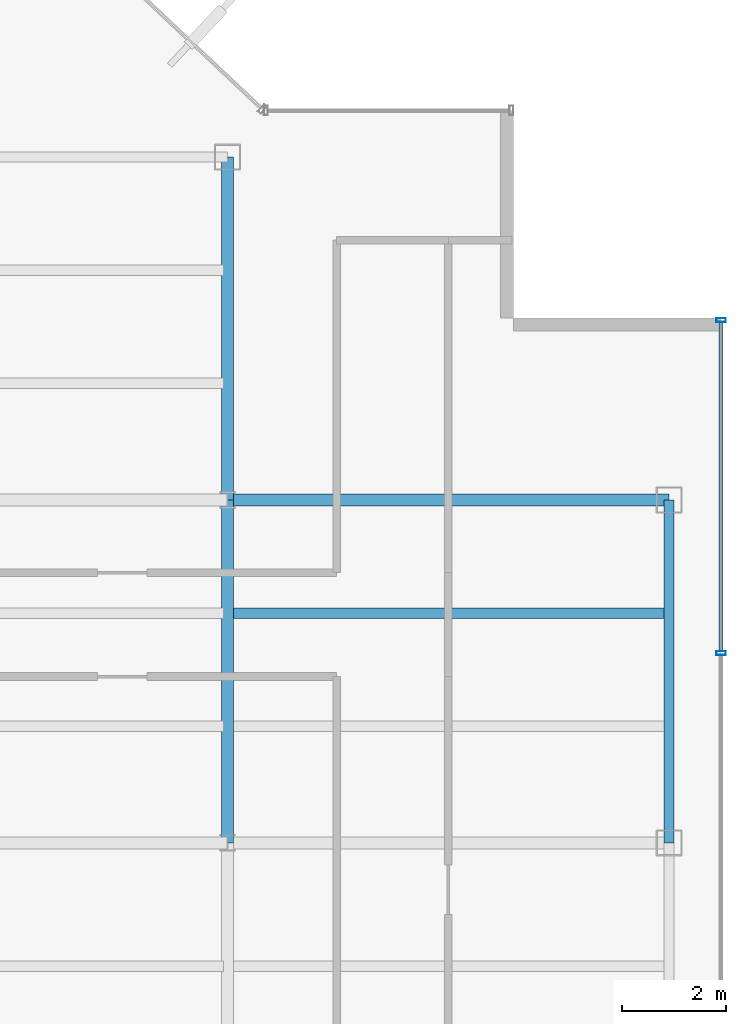
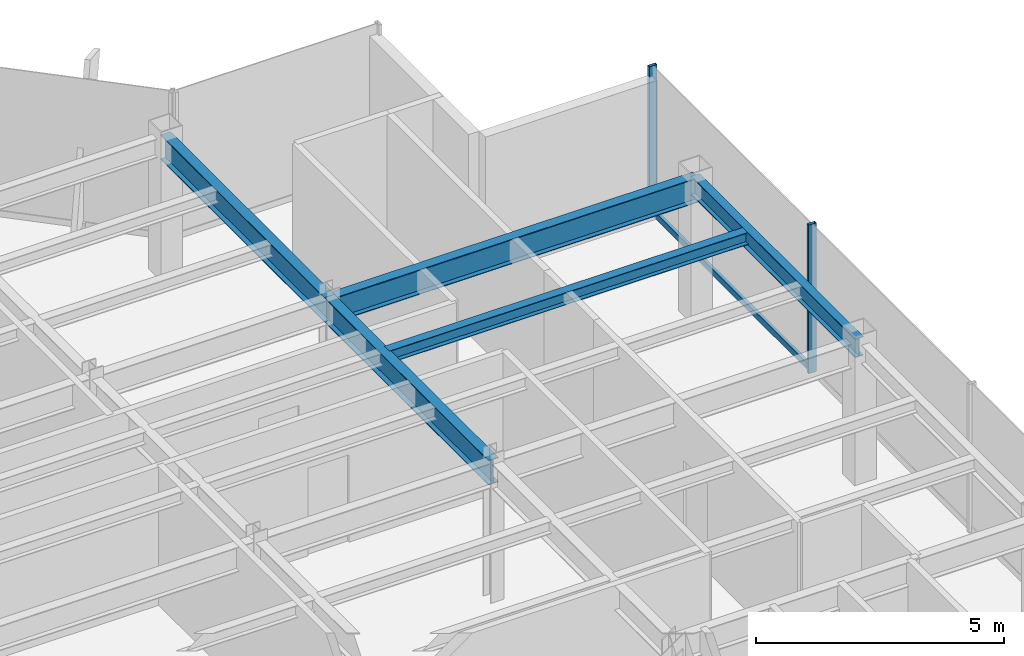
# One storey, part 11 of 22: 5 beams, 3 members, 1 element without a shape of its own.
"""IFC4 building model written with IfcOpenShell, lengths in metres."""

import ifcopenshell
import ifcopenshell.guid

model = None  # the IFC model being written
_history = None  # IfcOwnerHistory: only IFC2X3 demands one
_inside = {}  # id of a spatial element -> (the spatial element, [elements in it])
_under = {}  # id of a project, library or spatial element -> (it, [spatial elements below it])
_declared = {}  # id of a project -> (the project, [libraries it declares])
_typed = {}  # id of a type object -> (the type object, [elements of that type])
_made_of = {}  # id of a material, layer set ... -> (it, [elements and type objects made of it])


def new_model(schema):
    """Start an empty IFC model of exactly this schema.

    Asked for "IFC4X3", IfcOpenShell would pick the latest addendum, in which some entities
    have other attributes; the version numbers below select the first issue.
    IFC2X3 requires an IfcOwnerHistory on every rooted entity: one is made here for all.
    """
    global model, _history
    if schema == "IFC4X3":
        model = ifcopenshell.file(schema_version=(4, 3, 0, 0))
    else:
        model = ifcopenshell.file(schema=schema)
    _inside.clear()
    _under.clear()
    _declared.clear()
    _typed.clear()
    _made_of.clear()
    _history = None
    if model.schema == "IFC2X3":
        org = make("IfcOrganization", Name="unknown")
        user = make(
            "IfcPersonAndOrganization",
            ThePerson=make("IfcPerson", FamilyName="unknown"),
            TheOrganization=org,
        )
        app = make(
            "IfcApplication",
            ApplicationDeveloper=org,
            Version="unknown",
            ApplicationFullName="unknown",
            ApplicationIdentifier="unknown",
        )
        _history = make(
            "IfcOwnerHistory",
            OwningUser=user,
            OwningApplication=app,
            ChangeAction="ADDED",
            CreationDate=0,
        )
    return model


def make(cls, **values):
    """One entity of the class cls with the attributes given. An attribute that is None is left unset."""
    return model.create_entity(
        cls, **{name: value for name, value in values.items() if value is not None}
    )


def rooted(cls, **values):
    """An entity with a GlobalId (a new one), such as an element, a storey or a relation."""
    return make(cls, GlobalId=ifcopenshell.guid.new(), OwnerHistory=_history, **values)


def si_unit(unit_type, name, prefix=None):
    """IfcSIUnit, for example si_unit("LENGTHUNIT", "METRE", prefix="MILLI")."""
    return make("IfcSIUnit", UnitType=unit_type, Prefix=prefix, Name=name)


def derived_unit(unit_type, elements):
    """IfcDerivedUnit: a product of units, each with its exponent."""
    return make(
        "IfcDerivedUnit",
        Elements=[
            make("IfcDerivedUnitElement", Unit=unit, Exponent=power)
            for unit, power in elements
        ],
        UnitType=unit_type,
    )


def assignment(units):
    """IfcUnitAssignment: the units of a project."""
    return None if units is None else make("IfcUnitAssignment", Units=units)


def point(xyz):
    """IfcCartesianPoint."""
    return None if xyz is None else make("IfcCartesianPoint", Coordinates=xyz)


def direction(xyz):
    """IfcDirection."""
    return None if xyz is None else make("IfcDirection", DirectionRatios=xyz)


def frame(location, z_axis=None, x_axis=None):
    """IfcAxis2Placement3D, a coordinate frame: its origin and axes. An axis left out is left unset."""
    return make(
        "IfcAxis2Placement3D",
        Location=point(location),
        Axis=direction(z_axis),
        RefDirection=direction(x_axis),
    )


def frame_2d(location, x_axis=None):
    """IfcAxis2Placement2D, a coordinate frame in the plane: its origin and x axis."""
    return make(
        "IfcAxis2Placement2D", Location=point(location), RefDirection=direction(x_axis)
    )


def origin():
    """The frame at (0, 0, 0) with its axes left unset."""
    return frame((0.0, 0.0, 0.0))


def origin_2d():
    """The frame at (0, 0) in the plane with its x axis left unset."""
    return frame_2d((0.0, 0.0))


def place(relative_to, where):
    """IfcLocalPlacement: puts the frame where relative to a parent placement (None: the world)."""
    return make(
        "IfcLocalPlacement", PlacementRelTo=relative_to, RelativePlacement=where
    )


def context(
    kind, dimensions, precision=None, world=None, true_north=None, identifier=None
):
    """IfcGeometricRepresentationContext, for example the 3D "Model" context."""
    return make(
        "IfcGeometricRepresentationContext",
        ContextIdentifier=identifier,
        ContextType=kind,
        CoordinateSpaceDimension=dimensions,
        Precision=precision,
        WorldCoordinateSystem=world,
        TrueNorth=true_north,
    )


def subcontext(parent, identifier, kind, view, scale=None):
    """IfcGeometricRepresentationSubContext, for example "Body" below "Model"."""
    return make(
        "IfcGeometricRepresentationSubContext",
        ContextIdentifier=identifier,
        ContextType=kind,
        ParentContext=parent,
        TargetScale=scale,
        TargetView=view,
    )


def project(units=None, contexts=None):
    """IfcProject with its units and contexts."""
    return rooted(
        "IfcProject",
        Name="project",
        RepresentationContexts=contexts,
        UnitsInContext=assignment(units),
    )


def spatial(cls, under=None, at=None, **own):
    """A site, building, storey or space (cls), placed at a placement, below another one or the project."""
    s = rooted(cls, ObjectPlacement=at, **own)
    if under is not None:
        _under.setdefault(under.id(), (under, []))[1].append(s)
    return s


def profile(cls, at=None, kind="AREA", **sizes):
    """A parametric profile (cls). Its sizes go by their IFC names, for example OverallWidth=200.0."""
    return make(cls, ProfileType=kind, Position=at, **sizes)


def hollow_rectangle(**sizes):
    """IfcRectangleHollowProfileDef."""
    return profile("IfcRectangleHollowProfileDef", **sizes)


def i_section(**sizes):
    """IfcIShapeProfileDef."""
    return profile("IfcIShapeProfileDef", **sizes)


def extrude(swept, where, along, depth):
    """IfcExtrudedAreaSolid: the profile swept, set in the frame where, extruded along a direction by depth."""
    return make(
        "IfcExtrudedAreaSolid",
        SweptArea=swept,
        Position=where,
        ExtrudedDirection=direction(along),
        Depth=depth,
    )


def shape(context_of_items, identifier, shape_type, items):
    """IfcShapeRepresentation: the items that make up one representation, for example the "Body"."""
    return make(
        "IfcShapeRepresentation",
        ContextOfItems=context_of_items,
        RepresentationIdentifier=identifier,
        RepresentationType=shape_type,
        Items=items,
    )


def source(mapping_origin, context_of_items, identifier, shape_type, items):
    """IfcRepresentationMap: a shape defined once, which mapped items show again and again."""
    return make(
        "IfcRepresentationMap",
        MappingOrigin=mapping_origin,
        MappedRepresentation=shape(context_of_items, identifier, shape_type, items),
    )


def transform(
    local_origin,
    x_axis=None,
    y_axis=None,
    z_axis=None,
    scale=None,
    scale2=None,
    scale3=None,
    uniform=True,
):
    """IfcCartesianTransformationOperator3D, or its non-uniform kind. x_axis, y_axis, z_axis: its Axis1, 2, 3."""
    if uniform:
        return make(
            "IfcCartesianTransformationOperator3D",
            Axis1=direction(x_axis),
            Axis2=direction(y_axis),
            LocalOrigin=point(local_origin),
            Scale=scale,
            Axis3=direction(z_axis),
        )
    return make(
        "IfcCartesianTransformationOperator3DnonUniform",
        Axis1=direction(x_axis),
        Axis2=direction(y_axis),
        LocalOrigin=point(local_origin),
        Scale=scale,
        Axis3=direction(z_axis),
        Scale2=scale2,
        Scale3=scale3,
    )


def mapped(mapping_source, mapping_target):
    """IfcMappedItem: shows the shape of a source again, moved by a transform."""
    return make(
        "IfcMappedItem", MappingSource=mapping_source, MappingTarget=mapping_target
    )


def material(Name=None, Category=None):
    """IfcMaterial."""
    return make("IfcMaterial", Name=Name, Category=Category)


def material_profile(
    of_material, cross_section, Name=None, Category=None, Priority=None
):
    """IfcMaterialProfile: a cross section and its material."""
    return make(
        "IfcMaterialProfile",
        Name=Name,
        Material=of_material,
        Profile=cross_section,
        Priority=Priority,
        Category=Category,
    )


def profile_set(profiles, Name=None, composite=None):
    """IfcMaterialProfileSet."""
    return make(
        "IfcMaterialProfileSet",
        Name=Name,
        MaterialProfiles=profiles,
        CompositeProfile=composite,
    )


def made_of(thing, what):
    """Note that an element or type object is made of a material, layer set ...; save() writes the relation."""
    if what is not None:
        _made_of.setdefault(what.id(), (what, []))[1].append(thing)
    return thing


def type_object(cls, material=None, **own):
    """A type object (cls), such as IfcWallType, which elements share."""
    return made_of(rooted(cls, **own), material)


def element(
    cls,
    number,
    at=None,
    inside=None,
    cuts=None,
    type_object=None,
    material=None,
    context=None,
    identifier="Body",
    shape_type=None,
    held_by="IfcProductDefinitionShape",
    body=None,
    shapes=None,
    **own,
):
    """One element of the class cls, such as IfcWall. Its Tag is "e" and its number.

    at: its placement. inside: the storey or other place that contains it. cuts: it is an
    opening in that element (IfcRelVoidsElement). A single representation is given by context,
    identifier, shape_type and body (its items); several are given by shapes. held_by: the class
    of the entity that holds the representations. save() writes the other relations.
    """
    e = rooted(cls, Tag="e%d" % number, ObjectPlacement=at, **own)
    if body is not None:
        shapes = [shape(context, identifier, shape_type, body)]
    if shapes is not None:
        e.Representation = make(held_by, Representations=shapes)
    if inside is not None:
        _inside.setdefault(inside.id(), (inside, []))[1].append(e)
    if cuts is not None:
        rooted(
            "IfcRelVoidsElement", RelatingBuildingElement=cuts, RelatedOpeningElement=e
        )
    if type_object is not None:
        _typed.setdefault(type_object.id(), (type_object, []))[1].append(e)
    return made_of(e, material)


def aggregate(whole, parts):
    """IfcRelAggregates: a whole, such as a stair, and the parts it consists of."""
    return rooted("IfcRelAggregates", RelatingObject=whole, RelatedObjects=parts)


def save(model, path):
    """Write the relations noted so far, then the file.

    IfcRelAggregates (storeys below a building ...), IfcRelContainedInSpatialStructure (elements
    in a storey), IfcRelDefinesByType, IfcRelAssociatesMaterial and IfcRelDeclares: one each for
    every whole, place, type object, material and project.
    """
    for whole, parts in _under.values():
        aggregate(whole, parts)
    for where, things in _inside.values():
        rooted(
            "IfcRelContainedInSpatialStructure",
            RelatedElements=things,
            RelatingStructure=where,
        )
    for kind, things in _typed.values():
        rooted("IfcRelDefinesByType", RelatedObjects=things, RelatingType=kind)
    for what, things in _made_of.values():
        rooted("IfcRelAssociatesMaterial", RelatedObjects=things, RelatingMaterial=what)
    for by, libraries in _declared.values():
        rooted("IfcRelDeclares", RelatingContext=by, RelatedDefinitions=libraries)
    model.write(path)


model = new_model("IFC4")

# Units and contexts
model_context = context("Model", 3, precision=1e-05, world=origin(), true_north=direction((0.0, 1.0)))
body_context = subcontext(model_context, "Body", "Model", "MODEL_VIEW")
ifc_project = project(units=[si_unit("LENGTHUNIT", "METRE"), si_unit("AREAUNIT", "SQUARE_METRE"), si_unit("VOLUMEUNIT", "CUBIC_METRE"), si_unit("PLANEANGLEUNIT", "RADIAN"), si_unit("MASSUNIT", "GRAM", prefix="KILO"), derived_unit("THERMALTRANSMITTANCEUNIT", [(si_unit("POWERUNIT", "WATT"), 1), (si_unit("LENGTHUNIT", "METRE"), -2), (si_unit("THERMODYNAMICTEMPERATUREUNIT", "KELVIN"), -1)])], contexts=[model_context])

# Site, building, storey
site_placement = place(None, origin())
site = spatial("IfcSite", under=ifc_project, at=site_placement, CompositionType="ELEMENT")
building_placement = place(site_placement, origin())
building = spatial("IfcBuilding", under=site, at=building_placement, Name="Skarnbrae Concourse Arena and Tower", CompositionType="ELEMENT")
storey_placement = place(building_placement, frame((0.0, 0.0, 280.699951171875)))
storey = spatial("IfcBuildingStorey", under=building, at=storey_placement, Name="L73", CompositionType="ELEMENT", Elevation=280.699951171875)

# Beams
ifc_material_1 = material(Name="Steel CSA G40.21 350W", Category="steel")
ifc_material_profile_1 = material_profile(ifc_material_1, i_section(OverallWidth=0.22802734375, OverallDepth=0.60791015625, WebThickness=0.01123046875, FlangeThickness=0.017333984375, at=origin_2d()), Name="W610X113")
ifc_profile_set_1 = profile_set([ifc_material_profile_1], Name="Steel CSA G40.21 350W")
beam_type_1 = type_object("IfcBeamType", Name="BM-GIRD-W610X113", PredefinedType="BEAM", material=ifc_profile_set_1)
shared_shape_1 = source(origin(), body_context, "Body", "SweptSolid", [
    extrude(i_section(OverallWidth=0.22802734375, OverallDepth=0.60791015625, WebThickness=0.01123046875, FlangeThickness=0.017333984375, at=origin_2d()), origin(), (0.0, 0.0, 1.0), 6.60009765625),
])
beam_1_placement = place(storey_placement, frame((33.5, 21.199951171875, 3.095947265625), z_axis=(0.0, 1.0, 0.0), x_axis=(-1.0, 0.0, 0.0)))
element("IfcBeam", 1, at=beam_1_placement, inside=storey, type_object=beam_type_1, Name="L73 Primary N-S girder X33.5-2", PredefinedType="BEAM", context=body_context, shape_type="MappedRepresentation", body=[
    mapped(shared_shape_1, transform((0.0, 0.0, 0.0))),
])
shared_shape_2 = source(origin(), body_context, "Body", "SweptSolid", [
    extrude(i_section(OverallWidth=0.22802734375, OverallDepth=0.60791015625, WebThickness=0.01123046875, FlangeThickness=0.017333984375, at=origin_2d()), origin(), (0.0, 0.0, 1.0), 8.5),
])
beam_2_placement = place(storey_placement, frame((33.5, 27.800048828125, 3.095947265625), z_axis=(1.0, 0.0, 0.0), x_axis=(0.0, 1.0, 0.0)))
element("IfcBeam", 2, at=beam_2_placement, inside=storey, type_object=beam_type_1, Name="L73 Primary E-W girder Y27.8-6", PredefinedType="BEAM", context=body_context, shape_type="MappedRepresentation", body=[
    mapped(shared_shape_2, transform((0.0, 0.0, 0.0))),
])
ifc_material_profile_2 = material_profile(ifc_material_1, i_section(OverallWidth=0.19091796875, OverallDepth=0.4599609375, WebThickness=0.010009765625, FlangeThickness=0.01611328125, at=origin_2d()), Name="W460X82")
ifc_profile_set_2 = profile_set([ifc_material_profile_2], Name="Steel CSA G40.21 350W")
beam_type_2 = type_object("IfcBeamType", Name="BM-SPAN-W460X82", PredefinedType="SPANDREL", material=ifc_profile_set_2)
shared_shape_3 = source(origin(), body_context, "Body", "SweptSolid", [
    extrude(i_section(OverallWidth=0.19091796875, OverallDepth=0.4599609375, WebThickness=0.010009765625, FlangeThickness=0.01611328125, at=origin_2d()), origin(), (0.0, 0.0, 1.0), 6.60009765625),
])
beam_3_placement = place(storey_placement, frame((42.0, 21.199951171875, 3.170166015625), z_axis=(0.0, 1.0, 0.0), x_axis=(-1.0, 0.0, 0.0)))
element("IfcBeam", 3, at=beam_3_placement, inside=storey, type_object=beam_type_2, Name="L73 Perimeter spandrel X42.0-3", PredefinedType="SPANDREL", context=body_context, shape_type="MappedRepresentation", body=[
    mapped(shared_shape_3, transform((0.0, 0.0, 0.0))),
])
shared_shape_4 = source(origin(), body_context, "Body", "SweptSolid", [
    extrude(i_section(OverallWidth=0.22802734375, OverallDepth=0.60791015625, WebThickness=0.01123046875, FlangeThickness=0.017333984375, at=origin_2d()), origin(), (0.0, 0.0, 1.0), 6.599853515625),
])
beam_4_placement = place(storey_placement, frame((33.5, 27.800048828125, 3.095947265625), z_axis=(0.0, 1.0, 0.0), x_axis=(-1.0, 0.0, 0.0)))
element("IfcBeam", 4, at=beam_4_placement, inside=storey, type_object=beam_type_1, Name="L73 Primary N-S girder X33.5-3", PredefinedType="BEAM", context=body_context, shape_type="MappedRepresentation", body=[
    mapped(shared_shape_4, transform((0.0, 0.0, 0.0))),
])
ifc_material_profile_3 = material_profile(ifc_material_1, i_section(OverallWidth=0.202880859375, OverallDepth=0.302978515625, WebThickness=0.007568359375, FlangeThickness=0.01318359375, at=origin_2d()), Name="W310X60")
ifc_profile_set_3 = profile_set([ifc_material_profile_3], Name="Steel CSA G40.21 350W")
beam_type_3 = type_object("IfcBeamType", Name="BM-JOIST-W310X60", PredefinedType="JOIST", material=ifc_profile_set_3)
shared_shape_5 = source(origin(), body_context, "Body", "SweptSolid", [
    extrude(i_section(OverallWidth=0.202880859375, OverallDepth=0.302978515625, WebThickness=0.007568359375, FlangeThickness=0.01318359375, at=origin_2d()), origin(), (0.0, 0.0, 1.0), 8.33984375),
])
beam_5_placement = place(storey_placement, frame((33.580078125, 25.6220703125, 3.24853515625), z_axis=(1.0, 0.0, 0.0), x_axis=(0.0, 1.0, 0.0)))
element("IfcBeam", 5, at=beam_5_placement, inside=storey, type_object=beam_type_3, Name="L73 Secondary floor joist 2.2.6", PredefinedType="JOIST", context=body_context, shape_type="MappedRepresentation", body=[
    mapped(shared_shape_5, transform((0.0, 0.0, 0.0))),
])

# Curtain wall, members
ifc_material_2 = material(Name="Bronze anodised aluminium 6063-T6", Category="aluminium")
curtain_wall_type = type_object("IfcCurtainWallType", Name="CW-SYS-05-HIGHZONE", PredefinedType="USERDEFINED", material=ifc_material_2)
curtain_wall_placement = place(storey_placement, origin())
curtain_wall = element("IfcCurtainWall", 6, at=curtain_wall_placement, inside=storey, type_object=curtain_wall_type, Name="L73 Unitised curtain wall CW-L73-E04", ObjectType="UNITISED CURTAIN WALL", PredefinedType="USERDEFINED")
ifc_material_profile_4 = material_profile(ifc_material_2, hollow_rectangle(XDim=0.074951171875, YDim=0.14990234375, WallThickness=0.00390625, at=origin_2d()), Name="ALU-TRAN-75X150")
ifc_profile_set_4 = profile_set([ifc_material_profile_4], Name="Bronze anodised aluminium 6063-T6")
member_type_1 = type_object("IfcMemberType", Name="CWT-CW-05", PredefinedType="USERDEFINED", material=ifc_profile_set_4)
shared_shape_6 = source(origin(), body_context, "Body", "SweptSolid", [
    extrude(hollow_rectangle(XDim=0.074951171875, YDim=0.14990234375, WallThickness=0.00390625, at=origin_2d()), origin(), (0.0, 0.0, 1.0), 6.337646484375),
])
member_1_placement = place(storey_placement, frame((43.0, 24.887451171875, 0.074951171875), z_axis=(0.0, 1.0, 0.0), x_axis=(-1.0, 0.0, 0.0)))
member_1 = element("IfcMember", 7, at=member_1_placement, type_object=member_type_1, Name="CW-L73-E04 Transom 4", ObjectType="TRANSOM", PredefinedType="USERDEFINED", context=body_context, shape_type="MappedRepresentation", body=[
    mapped(shared_shape_6, transform((0.0, 0.0, 0.0))),
])
ifc_material_profile_5 = material_profile(ifc_material_2, hollow_rectangle(XDim=0.074951171875, YDim=0.179931640625, WallThickness=0.00390625, at=origin_2d()), Name="ALU-MULL-75X180")
ifc_profile_set_5 = profile_set([ifc_material_profile_5], Name="Bronze anodised aluminium 6063-T6")
member_type_2 = type_object("IfcMemberType", Name="CWM-CW-05", PredefinedType="MULLION", material=ifc_profile_set_5)
shared_shape_7 = source(origin(), body_context, "Body", "SweptSolid", [
    extrude(hollow_rectangle(XDim=0.074951171875, YDim=0.179931640625, WallThickness=0.00390625, at=origin_2d()), origin(), (0.0, 0.0, 1.0), 3.650146484375),
])
member_2_placement = place(storey_placement, frame((43.0, 24.85009765625, 0.0), z_axis=(0.0, 0.0, 1.0), x_axis=(0.0, 1.0, 0.0)))
member_2 = element("IfcMember", 8, at=member_2_placement, type_object=member_type_2, Name="CW-L73-E04 Mullion 4", PredefinedType="MULLION", context=body_context, shape_type="MappedRepresentation", body=[
    mapped(shared_shape_7, transform((0.0, 0.0, 0.0))),
])
member_3_placement = place(storey_placement, frame((43.0, 31.262451171875, 0.0), z_axis=(0.0, 0.0, 1.0), x_axis=(0.0, 1.0, 0.0)))
member_3 = element("IfcMember", 9, at=member_3_placement, type_object=member_type_2, Name="CW-L73-E04 Mullion 5", PredefinedType="MULLION", context=body_context, shape_type="MappedRepresentation", body=[
    mapped(shared_shape_7, transform((0.0, 0.0, 0.0))),
])
aggregate(curtain_wall, [member_2, member_3, member_1])

save(model, "model.ifc")
